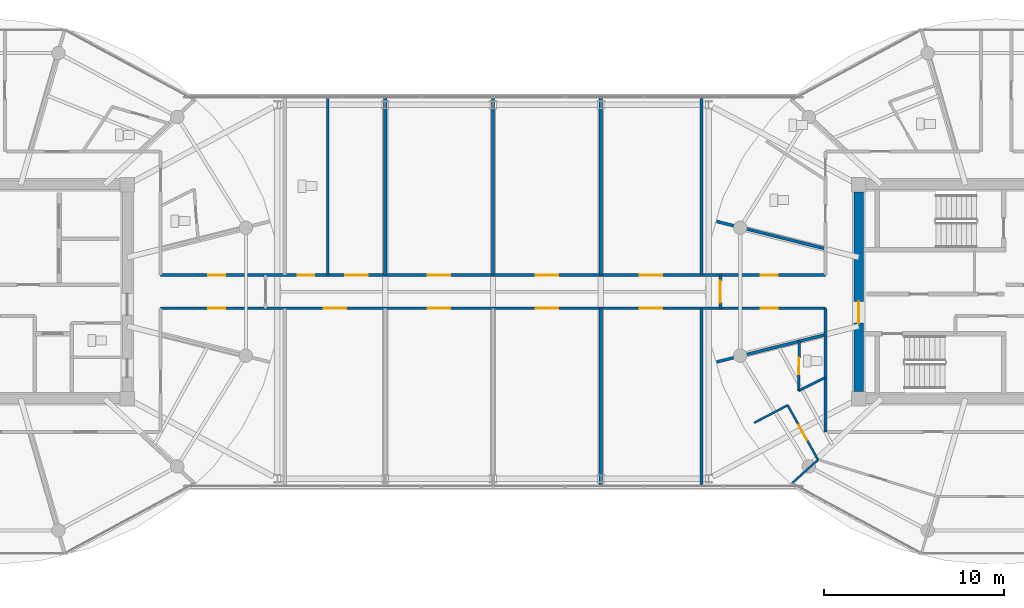
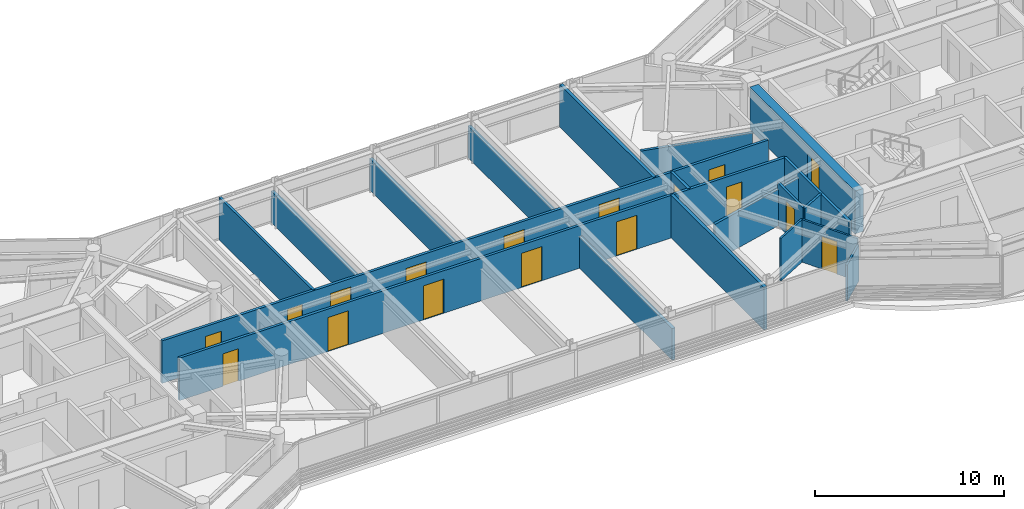
# One storey, part 17 of 26: 19 walls, 17 doors, 17 openings.
"""IFC4 building model written with IfcOpenShell, lengths in metres."""

from ifc_helpers import new_model, si_unit, direction, frame, frame_2d, origin, place, context, subcontext, project, spatial, rectangle, extrude, source, transform, mapped, material, layer, layer_set, type_object, type_shapes, element, fill, save


model = new_model("IFC4")

# Units and contexts
model_context = context("Model", 3, precision=1e-05, world=origin(), true_north=direction((0.0, 1.0)))
body_context = subcontext(model_context, "Body", "Model", "MODEL_VIEW")
ifc_project = project(units=[si_unit("LENGTHUNIT", "METRE"), si_unit("AREAUNIT", "SQUARE_METRE"), si_unit("VOLUMEUNIT", "CUBIC_METRE"), si_unit("PLANEANGLEUNIT", "RADIAN"), si_unit("MASSUNIT", "GRAM", prefix="KILO")], contexts=[model_context])

# Site, building, storey
site_placement = place(None, origin())
site = spatial("IfcSite", under=ifc_project, at=site_placement, CompositionType="ELEMENT")
building_placement = place(site_placement, origin())
building = spatial("IfcBuilding", under=site, at=building_placement, Name="Norrkilde Senior Care Towers", CompositionType="ELEMENT")
storey_placement = place(building_placement, frame((0.0, 0.0, 210.85009765625)))
storey = spatial("IfcBuildingStorey", under=building, at=storey_placement, Name="L65", CompositionType="ELEMENT", Elevation=210.85009765625)

# Wall, opening, door
ifc_material_1 = material(Name="Concrete C50/60", Category="concrete")
ifc_layer_1 = layer(ifc_material_1, 0.52001953125)
ifc_layer_set_1 = layer_set([ifc_layer_1], Name="Concrete C50/60")
wall_type_1 = type_object("IfcWallType", Name="Core Shear Wall Z4 520", PredefinedType="SHEAR", material=ifc_layer_set_1)
shared_shape_1 = source(origin(), body_context, "Body", "SweptSolid", [
    extrude(rectangle(XDim=11.10009765625, YDim=0.52001953125, at=frame_2d((5.550048828125, 0.0))), origin(), (0.0, 0.0, 1.0), 2.760009765625),
])
type_shapes(wall_type_1, [shared_shape_1])
wall_1_placement = place(storey_placement, frame((20.35009765625, -5.550048828125, 0.0), z_axis=(0.0, 0.0, 1.0), x_axis=(0.0, 1.0, 0.0)))
wall_1 = element("IfcWall", 1, at=wall_1_placement, inside=storey, type_object=wall_type_1, Name="L65 Core E West Shear Wall", PredefinedType="SHEAR", context=body_context, shape_type="MappedRepresentation", body=[
    mapped(shared_shape_1, transform((0.0, 0.0, 0.0), x_axis=(1.0, 0.0, 0.0), y_axis=(0.0, 1.0, 0.0), z_axis=(0.0, 0.0, 1.0), scale=1.0)),
])
opening_1_placement = place(wall_1_placement, frame((3.800048828125, 0.0, 0.0)))
opening_1 = element("IfcOpeningElement", 2, at=opening_1_placement, cuts=wall_1, Name="Opening D-04", PredefinedType="OPENING", context=body_context, shape_type="SweptSolid", body=[
    extrude(rectangle(XDim=1.199951171875, YDim=2.14990234375, at=frame_2d((0.60009765625, 1.074951171875))), frame((0.0, 0.27001953125, 0.0), z_axis=(0.0, -1.0, 0.0), x_axis=(1.0, 0.0, 0.0)), (0.0, 0.0, 1.0), 0.5400390625),
])
ifc_material_2 = material(Name="Galvanised Painted Steel", Category="steel")
door_type_1 = type_object("IfcDoorType", Name="Firefighting Lobby Fire Door 1200x2150", OperationType="NOTDEFINED", PredefinedType="DOOR", material=ifc_material_2)
shared_shape_2 = source(origin(), body_context, "Body", "SweptSolid", [
    extrude(rectangle(XDim=1.199951171875, YDim=2.14990234375, at=frame_2d((0.60009765625, 1.074951171875))), frame((0.0, 0.02490234375, 0.0), z_axis=(0.0, -1.0, 0.0), x_axis=(1.0, 0.0, 0.0)), (0.0, 0.0, 1.0), 0.050048828125),
])
type_shapes(door_type_1, [shared_shape_2])
door_1_placement = place(opening_1_placement, frame((1.199951171875, 0.0, 0.0), z_axis=(0.0, 0.0, 1.0), x_axis=(-1.0, 0.0, 0.0)))
door_1 = element("IfcDoor", 3, at=door_1_placement, inside=storey, type_object=door_type_1, Name="L65 Core E West Portal Door", OperationType="SINGLE_SWING_LEFT", OverallHeight=2.14990234375, OverallWidth=1.199951171875, PredefinedType="DOOR", context=body_context, shape_type="MappedRepresentation", body=[
    mapped(shared_shape_2, transform((0.0, 0.0, 0.0), x_axis=(1.0, 0.0, 0.0), y_axis=(0.0, 1.0, 0.0), z_axis=(0.0, 0.0, 1.0), scale=1.0)),
])
fill(opening_1, door_1)

# Walls
ifc_material_3 = material(Name="Gypsum Acoustic Board")
ifc_layer_2 = layer(ifc_material_3, 0.1650390625)
ifc_layer_set_2 = layer_set([ifc_layer_2], Name="Gypsum Acoustic Board")
wall_type_2 = type_object("IfcWallType", Name="Corridor Rated Partition 165", PredefinedType="PARTITIONING", material=ifc_layer_set_2)
shared_shape_3 = source(origin(), body_context, "Body", "SweptSolid", [
    extrude(rectangle(XDim=6.1572265625, YDim=0.1650390625, at=frame_2d((3.07861328125, 0.0))), origin(), (0.0, 0.0, 1.0), 2.344970703125),
])
for number, where, z_axis, x_axis, name in (
    (4, (18.419921875, 2.407470703125, 0.0), (0.0, 0.0, 1.0), (-0.969840867184, 0.243738984038, 0.0), "WL-INT-L65-E-DEM-05-0"),
    (5, (18.419921875, -2.407470703125, 0.0), (0.0, 0.0, 1.0), (-0.969840867184, -0.243738984038, 0.0), "WL-INT-L65-E-DEM-06-0"),
):
    element("IfcWall", number, at=place(storey_placement, frame(where, z_axis=z_axis, x_axis=x_axis)), inside=storey, type_object=wall_type_2, Name=name, PredefinedType="PARTITIONING", context=body_context, shape_type="MappedRepresentation", body=[
        mapped(shared_shape_3, transform((0.0, 0.0, 0.0), x_axis=(1.0, 0.0, 0.0), y_axis=(0.0, 1.0, 0.0), z_axis=(0.0, 0.0, 1.0), scale=1.0)),
    ])
shared_shape_4 = source(origin(), body_context, "Body", "SweptSolid", [
    extrude(rectangle(XDim=6.880126953125, YDim=0.1650390625, at=frame_2d((3.43994140625, 0.0))), origin(), (0.0, 0.0, 1.0), 2.744873046875),
])
wall_2_placement = place(storey_placement, frame((18.5, -7.800048828125, 0.0), z_axis=(0.0, 0.0, 1.0), x_axis=(0.0, 1.0, 0.0)))
element("IfcWall", 6, at=wall_2_placement, inside=storey, type_object=wall_type_2, Name="WL-INT-L65-E-CRW-W-0", PredefinedType="PARTITIONING", context=body_context, shape_type="MappedRepresentation", body=[
    mapped(shared_shape_4, transform((0.0, 0.0, 0.0), x_axis=(1.0, 0.0, 0.0), y_axis=(0.0, 1.0, 0.0), z_axis=(0.0, 0.0, 1.0), scale=1.0)),
])
ifc_layer_3 = layer(ifc_material_3, 0.114990234375)
ifc_layer_set_3 = layer_set([ifc_layer_3], Name="Gypsum Acoustic Board")
wall_type_3 = type_object("IfcWallType", Name="Internal Room Partition 115", PredefinedType="PARTITIONING", material=ifc_layer_set_3)
shared_shape_5 = source(origin(), body_context, "Body", "SweptSolid", [
    extrude(rectangle(XDim=1.98828125, YDim=0.114990234375, at=frame_2d((0.994140625, 0.0))), origin(), (0.0, 0.0, 1.0), 2.344970703125),
])
wall_3_placement = place(storey_placement, frame((18.0908203125, -9.34423828125, 0.0), z_axis=(0.0, 0.0, 1.0), x_axis=(-0.741992301729, -0.670408401033, 0.0)))
element("IfcWall", 7, at=wall_3_placement, inside=storey, type_object=wall_type_3, Name="WL-INT-L65-E-UBR-06-1", PredefinedType="PARTITIONING", context=body_context, shape_type="MappedRepresentation", body=[
    mapped(shared_shape_5, transform((0.0, 0.0, 0.0), x_axis=(1.0, 0.0, 0.0), y_axis=(0.0, 1.0, 0.0), z_axis=(0.0, 0.0, 1.0), scale=1.0)),
])
ifc_layer_4 = layer(ifc_material_3, 0.139892578125)
ifc_layer_set_4 = layer_set([ifc_layer_4], Name="Gypsum Acoustic Board")
wall_type_4 = type_object("IfcWallType", Name="En-suite Wet Room Wall 140", PredefinedType="PARTITIONING", material=ifc_layer_set_4)
shared_shape_6 = source(origin(), body_context, "Body", "SweptSolid", [
    extrude(rectangle(XDim=1.638427734375, YDim=0.139892578125, at=frame_2d((0.8193359375, 0.0))), origin(), (0.0, 0.0, 1.0), 2.744873046875),
])
wall_4_placement = place(storey_placement, frame((18.469970703125, -4.7783203125, 0.0), z_axis=(0.0, 0.0, 1.0), x_axis=(-0.893919977945, -0.448226586707, 0.0)))
element("IfcWall", 8, at=wall_4_placement, inside=storey, type_object=wall_type_4, Name="WL-INT-L65-E-UBTS-06", PredefinedType="PARTITIONING", context=body_context, shape_type="MappedRepresentation", body=[
    mapped(shared_shape_6, transform((0.0, 0.0, 0.0), x_axis=(1.0, 0.0, 0.0), y_axis=(0.0, 1.0, 0.0), z_axis=(0.0, 0.0, 1.0), scale=1.0)),
])

# Wall, opening, door
shared_shape_7 = source(origin(), body_context, "Body", "SweptSolid", [
    extrude(rectangle(XDim=2.7587890625, YDim=0.139892578125, at=frame_2d((1.37939453125, 0.0))), origin(), (0.0, 0.0, 1.0), 2.744873046875),
])
wall_5_placement = place(storey_placement, frame((17.00537109375, -5.5126953125, 0.0), z_axis=(0.0, 0.0, 1.0), x_axis=(0.01194710728, 0.999928630767, 0.0)))
wall_5 = element("IfcWall", 9, at=wall_5_placement, inside=storey, type_object=wall_type_4, Name="WL-INT-L65-E-UBTF-06", PredefinedType="PARTITIONING", context=body_context, shape_type="MappedRepresentation", body=[
    mapped(shared_shape_7, transform((0.0, 0.0, 0.0), x_axis=(1.0, 0.0, 0.0), y_axis=(0.0, 1.0, 0.0), z_axis=(0.0, 0.0, 1.0), scale=1.0)),
])
opening_2_placement = place(wall_5_placement, frame((0.91943359375, 0.0, 0.0)))
opening_2 = element("IfcOpeningElement", 10, at=opening_2_placement, cuts=wall_5, Name="Opening D-08", PredefinedType="OPENING", context=body_context, shape_type="SweptSolid", body=[
    extrude(rectangle(XDim=0.919921875, YDim=2.10009765625, at=frame_2d((0.4599609375, 1.050048828125))), frame((0.0, 0.079833984375, 0.0), z_axis=(0.0, -1.0, 0.0), x_axis=(1.0, 0.0, 0.0)), (0.0, 0.0, 1.0), 0.159912109375),
])
ifc_material_4 = material(Name="Nordic Ash Timber", Category="wood")
door_type_2 = type_object("IfcDoorType", Name="Accessible Wet Room Door 920x2100", OperationType="NOTDEFINED", PredefinedType="DOOR", material=ifc_material_4)
shared_shape_8 = source(origin(), body_context, "Body", "SweptSolid", [
    extrude(rectangle(XDim=0.919921875, YDim=2.10009765625, at=frame_2d((0.4599609375, 1.050048828125))), frame((0.0, 0.02490234375, 0.0), z_axis=(0.0, -1.0, 0.0), x_axis=(1.0, 0.0, 0.0)), (0.0, 0.0, 1.0), 0.050048828125),
])
type_shapes(door_type_2, [shared_shape_8])
door_2_placement = place(opening_2_placement, origin())
door_2 = element("IfcDoor", 11, at=door_2_placement, inside=storey, type_object=door_type_2, Name="Apartment 65E Bathroom Door", OperationType="SINGLE_SWING_RIGHT", OverallHeight=2.10009765625, OverallWidth=0.919921875, PredefinedType="DOOR", context=body_context, shape_type="MappedRepresentation", body=[
    mapped(shared_shape_8, transform((0.0, 0.0, 0.0), x_axis=(1.0, 0.0, 0.0), y_axis=(0.0, 1.0, 0.0), z_axis=(0.0, 0.0, 1.0), scale=1.0)),
])
fill(opening_2, door_2)

# Wall
shared_shape_9 = source(origin(), body_context, "Body", "SweptSolid", [
    extrude(rectangle(XDim=2.10400390625, YDim=0.114990234375, at=frame_2d((1.052001953125, 0.0))), origin(), (0.0, 0.0, 1.0), 2.744873046875),
])
wall_6_placement = place(storey_placement, frame((16.396240234375, -6.3173828125, 0.0), z_axis=(0.0, 0.0, 1.0), x_axis=(-0.886060817493, -0.463569010724, 0.0)))
element("IfcWall", 12, at=wall_6_placement, inside=storey, type_object=wall_type_3, Name="WL-INT-L65-E-UKTS-06", PredefinedType="PARTITIONING", context=body_context, shape_type="MappedRepresentation", body=[
    mapped(shared_shape_9, transform((0.0, 0.0, 0.0), x_axis=(1.0, 0.0, 0.0), y_axis=(0.0, 1.0, 0.0), z_axis=(0.0, 0.0, 1.0), scale=1.0)),
])

# Wall, opening, door
shared_shape_10 = source(origin(), body_context, "Body", "SweptSolid", [
    extrude(rectangle(XDim=3.4716796875, YDim=0.114990234375, at=frame_2d((1.73583984375, 0.0))), origin(), (0.0, 0.0, 1.0), 2.744873046875),
])
type_shapes(wall_type_3, [shared_shape_5, shared_shape_9, shared_shape_10])
wall_7_placement = place(storey_placement, frame((16.396240234375, -6.3173828125, 0.0), z_axis=(0.0, 0.0, 1.0), x_axis=(0.485804139346, -0.874067696574, 0.0)))
wall_7 = element("IfcWall", 13, at=wall_7_placement, inside=storey, type_object=wall_type_3, Name="WL-INT-L65-E-UKTF-06", PredefinedType="PARTITIONING", context=body_context, shape_type="MappedRepresentation", body=[
    mapped(shared_shape_10, transform((0.0, 0.0, 0.0), x_axis=(1.0, 0.0, 0.0), y_axis=(0.0, 1.0, 0.0), z_axis=(0.0, 0.0, 1.0), scale=1.0)),
])
opening_3_placement = place(wall_7_placement, frame((1.2607421875, 0.0, 0.0)))
opening_3 = element("IfcOpeningElement", 14, at=opening_3_placement, cuts=wall_7, Name="Opening D-07", PredefinedType="OPENING", context=body_context, shape_type="SweptSolid", body=[
    extrude(rectangle(XDim=0.949951171875, YDim=2.10009765625, at=frame_2d((0.47509765625, 1.050048828125))), frame((0.0, 0.0673828125, 0.0), z_axis=(0.0, -1.0, 0.0), x_axis=(1.0, 0.0, 0.0)), (0.0, 0.0, 1.0), 0.135009765625),
])
door_type_3 = type_object("IfcDoorType", Name="Internal Suite Bedroom Door 950x2100", OperationType="NOTDEFINED", PredefinedType="DOOR", material=ifc_material_4)
shared_shape_11 = source(origin(), body_context, "Body", "SweptSolid", [
    extrude(rectangle(XDim=0.949951171875, YDim=2.10009765625, at=frame_2d((0.47509765625, 1.050048828125))), frame((0.0, 0.02490234375, 0.0), z_axis=(0.0, -1.0, 0.0), x_axis=(1.0, 0.0, 0.0)), (0.0, 0.0, 1.0), 0.050048828125),
])
type_shapes(door_type_3, [shared_shape_11])
door_3_placement = place(opening_3_placement, frame((0.949951171875, 0.0, 0.0), z_axis=(0.0, 0.0, 1.0), x_axis=(-1.0, 0.0, 0.0)))
door_3 = element("IfcDoor", 15, at=door_3_placement, inside=storey, type_object=door_type_3, Name="Apartment 65E Kitchen Door", OperationType="SINGLE_SWING_LEFT", OverallHeight=2.10009765625, OverallWidth=0.949951171875, PredefinedType="DOOR", context=body_context, shape_type="MappedRepresentation", body=[
    mapped(shared_shape_11, transform((0.0, 0.0, 0.0), x_axis=(1.0, 0.0, 0.0), y_axis=(0.0, 1.0, 0.0), z_axis=(0.0, 0.0, 1.0), scale=1.0)),
])
fill(opening_3, door_3)

shared_shape_12 = source(origin(), body_context, "Body", "SweptSolid", [
    extrude(rectangle(XDim=1.83984375, YDim=0.1650390625, at=frame_2d((0.919921875, 0.0))), origin(), (0.0, 0.0, 1.0), 2.744873046875),
])
wall_8_placement = place(storey_placement, frame((12.64990234375, -0.919921875, 0.0), z_axis=(0.0, 0.0, 1.0), x_axis=(0.0, 1.0, 0.0)))
wall_8 = element("IfcWall", 16, at=wall_8_placement, inside=storey, type_object=wall_type_2, Name="WL-INT-L65-BR-GE", PredefinedType="PARTITIONING", context=body_context, shape_type="MappedRepresentation", body=[
    mapped(shared_shape_12, transform((0.0, 0.0, 0.0), x_axis=(1.0, 0.0, 0.0), y_axis=(0.0, 1.0, 0.0), z_axis=(0.0, 0.0, 1.0), scale=1.0)),
])
opening_4_placement = place(wall_8_placement, frame((0.320068359375, 0.0, 0.0)))
opening_4 = element("IfcOpeningElement", 17, at=opening_4_placement, cuts=wall_8, Name="Opening D-04", PredefinedType="OPENING", context=body_context, shape_type="SweptSolid", body=[
    extrude(rectangle(XDim=1.199951171875, YDim=2.14990234375, at=frame_2d((0.60009765625, 1.074951171875))), frame((0.0, 0.092529296875, 0.0), z_axis=(0.0, -1.0, 0.0), x_axis=(1.0, 0.0, 0.0)), (0.0, 0.0, 1.0), 0.18505859375),
])
door_4_placement = place(opening_4_placement, origin())
door_4 = element("IfcDoor", 18, at=door_4_placement, inside=storey, type_object=door_type_1, Name="L65 Sky-Gate Bridge GE Fire Door", OperationType="SINGLE_SWING_RIGHT", OverallHeight=2.14990234375, OverallWidth=1.199951171875, PredefinedType="DOOR", context=body_context, shape_type="MappedRepresentation", body=[
    mapped(shared_shape_2, transform((0.0, 0.0, 0.0), x_axis=(1.0, 0.0, 0.0), y_axis=(0.0, 1.0, 0.0), z_axis=(0.0, 0.0, 1.0), scale=1.0)),
])
fill(opening_4, door_4)

# Wall, openings, doors
shared_shape_13 = source(origin(), body_context, "Body", "SweptSolid", [
    extrude(rectangle(XDim=37.0, YDim=0.1650390625, at=frame_2d((18.5, 0.0))), origin(), (0.0, 0.0, 1.0), 2.744873046875),
])
type_shapes(wall_type_2, [shared_shape_3, shared_shape_4, shared_shape_12, shared_shape_13])
wall_9_placement = place(storey_placement, frame((-18.5, -0.919921875, 0.0), z_axis=(0.0, 0.0, 1.0), x_axis=(1.0, 0.0, 0.0)))
wall_9 = element("IfcWall", 19, at=wall_9_placement, inside=storey, type_object=wall_type_2, Name="WL-INT-L65-BR-CS", PredefinedType="PARTITIONING", context=body_context, shape_type="MappedRepresentation", body=[
    mapped(shared_shape_13, transform((0.0, 0.0, 0.0), x_axis=(1.0, 0.0, 0.0), y_axis=(0.0, 1.0, 0.0), z_axis=(0.0, 0.0, 1.0), scale=1.0)),
])
opening_5_placement = place(wall_9_placement, frame((2.66162109375, 0.0, 0.0)))
opening_5 = element("IfcOpeningElement", 20, at=opening_5_placement, cuts=wall_9, Name="Opening D-07", PredefinedType="OPENING", context=body_context, shape_type="SweptSolid", body=[
    extrude(rectangle(XDim=0.949951171875, YDim=2.10009765625, at=frame_2d((0.47509765625, 1.050048828125))), frame((0.0, 0.092529296875, 0.0), z_axis=(0.0, -1.0, 0.0), x_axis=(1.0, 0.0, 0.0)), (0.0, 0.0, 1.0), 0.18505859375),
])
opening_6_placement = place(wall_9_placement, frame((33.38818359375, 0.0, 0.0)))
opening_6 = element("IfcOpeningElement", 21, at=opening_6_placement, cuts=wall_9, Name="Opening D-07", PredefinedType="OPENING", context=body_context, shape_type="SweptSolid", body=[
    extrude(rectangle(XDim=0.949951171875, YDim=2.10009765625, at=frame_2d((0.47509765625, 1.050048828125))), frame((0.0, 0.092529296875, 0.0), z_axis=(0.0, -1.0, 0.0), x_axis=(1.0, 0.0, 0.0)), (0.0, 0.0, 1.0), 0.18505859375),
])
opening_7_placement = place(wall_9_placement, frame((9.074951171875, 0.0, 0.0)))
opening_7 = element("IfcOpeningElement", 22, at=opening_7_placement, cuts=wall_9, Name="Opening D-05", PredefinedType="OPENING", context=body_context, shape_type="SweptSolid", body=[
    extrude(rectangle(XDim=1.25, YDim=2.199951171875, at=frame_2d((0.625, 1.10009765625))), frame((0.0, 0.092529296875, 0.0), z_axis=(0.0, -1.0, 0.0), x_axis=(1.0, 0.0, 0.0)), (0.0, 0.0, 1.0), 0.18505859375),
])
opening_8_placement = place(wall_9_placement, frame((14.875, 0.0, 0.0)))
opening_8 = element("IfcOpeningElement", 23, at=opening_8_placement, cuts=wall_9, Name="Opening D-05", PredefinedType="OPENING", context=body_context, shape_type="SweptSolid", body=[
    extrude(rectangle(XDim=1.25, YDim=2.199951171875, at=frame_2d((0.625, 1.10009765625))), frame((0.0, 0.092529296875, 0.0), z_axis=(0.0, -1.0, 0.0), x_axis=(1.0, 0.0, 0.0)), (0.0, 0.0, 1.0), 0.18505859375),
])
opening_9_placement = place(wall_9_placement, frame((20.875, 0.0, 0.0)))
opening_9 = element("IfcOpeningElement", 24, at=opening_9_placement, cuts=wall_9, Name="Opening D-05", PredefinedType="OPENING", context=body_context, shape_type="SweptSolid", body=[
    extrude(rectangle(XDim=1.25, YDim=2.199951171875, at=frame_2d((0.625, 1.10009765625))), frame((0.0, 0.092529296875, 0.0), z_axis=(0.0, -1.0, 0.0), x_axis=(1.0, 0.0, 0.0)), (0.0, 0.0, 1.0), 0.18505859375),
])
opening_10_placement = place(wall_9_placement, frame((26.675048828125, 0.0, 0.0)))
opening_10 = element("IfcOpeningElement", 25, at=opening_10_placement, cuts=wall_9, Name="Opening D-05", PredefinedType="OPENING", context=body_context, shape_type="SweptSolid", body=[
    extrude(rectangle(XDim=1.25, YDim=2.199951171875, at=frame_2d((0.625, 1.10009765625))), frame((0.0, 0.092529296875, 0.0), z_axis=(0.0, -1.0, 0.0), x_axis=(1.0, 0.0, 0.0)), (0.0, 0.0, 1.0), 0.18505859375),
])
door_type_4 = type_object("IfcDoorType", Name="Care Bedroom Bariatric Door 1250x2200", OperationType="NOTDEFINED", PredefinedType="DOOR", material=ifc_material_4)
shared_shape_14 = source(origin(), body_context, "Body", "SweptSolid", [
    extrude(rectangle(XDim=1.25, YDim=2.199951171875, at=frame_2d((0.625, 1.10009765625))), frame((0.0, 0.02490234375, 0.0), z_axis=(0.0, -1.0, 0.0), x_axis=(1.0, 0.0, 0.0)), (0.0, 0.0, 1.0), 0.050048828125),
])
type_shapes(door_type_4, [shared_shape_14])
door_5_placement = place(opening_7_placement, origin())
door_5 = element("IfcDoor", 26, at=door_5_placement, inside=storey, type_object=door_type_4, Name="L65 Bridge South Room 1 Door", OperationType="SINGLE_SWING_LEFT", OverallHeight=2.199951171875, OverallWidth=1.25, PredefinedType="DOOR", context=body_context, shape_type="MappedRepresentation", body=[
    mapped(shared_shape_14, transform((0.0, 0.0, 0.0), x_axis=(1.0, 0.0, 0.0), y_axis=(0.0, 1.0, 0.0), z_axis=(0.0, 0.0, 1.0), scale=1.0)),
])
fill(opening_7, door_5)
door_6_placement = place(opening_8_placement, origin())
door_6 = element("IfcDoor", 27, at=door_6_placement, inside=storey, type_object=door_type_4, Name="L65 Bridge South Room 2 Door", OperationType="SINGLE_SWING_RIGHT", OverallHeight=2.199951171875, OverallWidth=1.25, PredefinedType="DOOR", context=body_context, shape_type="MappedRepresentation", body=[
    mapped(shared_shape_14, transform((0.0, 0.0, 0.0), x_axis=(1.0, 0.0, 0.0), y_axis=(0.0, 1.0, 0.0), z_axis=(0.0, 0.0, 1.0), scale=1.0)),
])
fill(opening_8, door_6)
door_7_placement = place(opening_9_placement, origin())
door_7 = element("IfcDoor", 28, at=door_7_placement, inside=storey, type_object=door_type_4, Name="L65 Bridge South Room 3 Door", OperationType="SINGLE_SWING_LEFT", OverallHeight=2.199951171875, OverallWidth=1.25, PredefinedType="DOOR", context=body_context, shape_type="MappedRepresentation", body=[
    mapped(shared_shape_14, transform((0.0, 0.0, 0.0), x_axis=(1.0, 0.0, 0.0), y_axis=(0.0, 1.0, 0.0), z_axis=(0.0, 0.0, 1.0), scale=1.0)),
])
fill(opening_9, door_7)
door_8_placement = place(opening_10_placement, origin())
door_8 = element("IfcDoor", 29, at=door_8_placement, inside=storey, type_object=door_type_4, Name="L65 Bridge South Room 4 Door", OperationType="SINGLE_SWING_RIGHT", OverallHeight=2.199951171875, OverallWidth=1.25, PredefinedType="DOOR", context=body_context, shape_type="MappedRepresentation", body=[
    mapped(shared_shape_14, transform((0.0, 0.0, 0.0), x_axis=(1.0, 0.0, 0.0), y_axis=(0.0, 1.0, 0.0), z_axis=(0.0, 0.0, 1.0), scale=1.0)),
])
fill(opening_10, door_8)
door_9_placement = place(opening_5_placement, frame((0.949951171875, 0.0, 0.0), z_axis=(0.0, 0.0, 1.0), x_axis=(-1.0, 0.0, 0.0)))
door_9 = element("IfcDoor", 30, at=door_9_placement, inside=storey, type_object=door_type_3, Name="L65 Sun Reading Lounge 5 Door", OperationType="SINGLE_SWING_RIGHT", OverallHeight=2.10009765625, OverallWidth=0.949951171875, PredefinedType="DOOR", context=body_context, shape_type="MappedRepresentation", body=[
    mapped(shared_shape_11, transform((0.0, 0.0, 0.0), x_axis=(1.0, 0.0, 0.0), y_axis=(0.0, 1.0, 0.0), z_axis=(0.0, 0.0, 1.0), scale=1.0)),
])
fill(opening_5, door_9)
door_10_placement = place(opening_6_placement, frame((0.949951171875, 0.0, 0.0), z_axis=(0.0, 0.0, 1.0), x_axis=(-1.0, 0.0, 0.0)))
door_10 = element("IfcDoor", 31, at=door_10_placement, inside=storey, type_object=door_type_3, Name="L65 Sun Reading Lounge 1 Door", OperationType="SINGLE_SWING_RIGHT", OverallHeight=2.10009765625, OverallWidth=0.949951171875, PredefinedType="DOOR", context=body_context, shape_type="MappedRepresentation", body=[
    mapped(shared_shape_11, transform((0.0, 0.0, 0.0), x_axis=(1.0, 0.0, 0.0), y_axis=(0.0, 1.0, 0.0), z_axis=(0.0, 0.0, 1.0), scale=1.0)),
])
fill(opening_6, door_10)

wall_10_placement = place(storey_placement, frame((-18.5, 0.919921875, 0.0), z_axis=(0.0, 0.0, 1.0), x_axis=(1.0, 0.0, 0.0)))
wall_10 = element("IfcWall", 32, at=wall_10_placement, inside=storey, type_object=wall_type_2, Name="WL-INT-L65-BR-CN", PredefinedType="PARTITIONING", context=body_context, shape_type="MappedRepresentation", body=[
    mapped(shared_shape_13, transform((0.0, 0.0, 0.0), x_axis=(1.0, 0.0, 0.0), y_axis=(0.0, 1.0, 0.0), z_axis=(0.0, 0.0, 1.0), scale=1.0)),
])
opening_11_placement = place(wall_10_placement, frame((2.66162109375, 0.0, 0.0)))
opening_11 = element("IfcOpeningElement", 33, at=opening_11_placement, cuts=wall_10, Name="Opening D-07", PredefinedType="OPENING", context=body_context, shape_type="SweptSolid", body=[
    extrude(rectangle(XDim=0.949951171875, YDim=2.10009765625, at=frame_2d((0.47509765625, 1.050048828125))), frame((0.0, 0.092529296875, 0.0), z_axis=(0.0, -1.0, 0.0), x_axis=(1.0, 0.0, 0.0)), (0.0, 0.0, 1.0), 0.18505859375),
])
opening_12_placement = place(wall_10_placement, frame((33.38818359375, 0.0, 0.0)))
opening_12 = element("IfcOpeningElement", 34, at=opening_12_placement, cuts=wall_10, Name="Opening D-07", PredefinedType="OPENING", context=body_context, shape_type="SweptSolid", body=[
    extrude(rectangle(XDim=0.949951171875, YDim=2.10009765625, at=frame_2d((0.47509765625, 1.050048828125))), frame((0.0, 0.092529296875, 0.0), z_axis=(0.0, -1.0, 0.0), x_axis=(1.0, 0.0, 0.0)), (0.0, 0.0, 1.0), 0.18505859375),
])
opening_13_placement = place(wall_10_placement, frame((7.639892578125, 0.0, 0.0)))
opening_13 = element("IfcOpeningElement", 35, at=opening_13_placement, cuts=wall_10, Name="Opening D-08", PredefinedType="OPENING", context=body_context, shape_type="SweptSolid", body=[
    extrude(rectangle(XDim=0.919921875, YDim=2.10009765625, at=frame_2d((0.4599609375, 1.050048828125))), frame((0.0, 0.092529296875, 0.0), z_axis=(0.0, -1.0, 0.0), x_axis=(1.0, 0.0, 0.0)), (0.0, 0.0, 1.0), 0.18505859375),
])
opening_14_placement = place(wall_10_placement, frame((10.27490234375, 0.0, 0.0)))
opening_14 = element("IfcOpeningElement", 36, at=opening_14_placement, cuts=wall_10, Name="Opening D-05", PredefinedType="OPENING", context=body_context, shape_type="SweptSolid", body=[
    extrude(rectangle(XDim=1.25, YDim=2.199951171875, at=frame_2d((0.625, 1.10009765625))), frame((0.0, 0.092529296875, 0.0), z_axis=(0.0, -1.0, 0.0), x_axis=(1.0, 0.0, 0.0)), (0.0, 0.0, 1.0), 0.18505859375),
])
opening_15_placement = place(wall_10_placement, frame((14.875, 0.0, 0.0)))
opening_15 = element("IfcOpeningElement", 37, at=opening_15_placement, cuts=wall_10, Name="Opening D-05", PredefinedType="OPENING", context=body_context, shape_type="SweptSolid", body=[
    extrude(rectangle(XDim=1.25, YDim=2.199951171875, at=frame_2d((0.625, 1.10009765625))), frame((0.0, 0.092529296875, 0.0), z_axis=(0.0, -1.0, 0.0), x_axis=(1.0, 0.0, 0.0)), (0.0, 0.0, 1.0), 0.18505859375),
])
opening_16_placement = place(wall_10_placement, frame((20.875, 0.0, 0.0)))
opening_16 = element("IfcOpeningElement", 38, at=opening_16_placement, cuts=wall_10, Name="Opening D-05", PredefinedType="OPENING", context=body_context, shape_type="SweptSolid", body=[
    extrude(rectangle(XDim=1.25, YDim=2.199951171875, at=frame_2d((0.625, 1.10009765625))), frame((0.0, 0.092529296875, 0.0), z_axis=(0.0, -1.0, 0.0), x_axis=(1.0, 0.0, 0.0)), (0.0, 0.0, 1.0), 0.18505859375),
])
opening_17_placement = place(wall_10_placement, frame((26.675048828125, 0.0, 0.0)))
opening_17 = element("IfcOpeningElement", 39, at=opening_17_placement, cuts=wall_10, Name="Opening D-05", PredefinedType="OPENING", context=body_context, shape_type="SweptSolid", body=[
    extrude(rectangle(XDim=1.25, YDim=2.199951171875, at=frame_2d((0.625, 1.10009765625))), frame((0.0, 0.092529296875, 0.0), z_axis=(0.0, -1.0, 0.0), x_axis=(1.0, 0.0, 0.0)), (0.0, 0.0, 1.0), 0.18505859375),
])
door_11_placement = place(opening_14_placement, frame((1.25, 0.0, 0.0), z_axis=(0.0, 0.0, 1.0), x_axis=(-1.0, 0.0, 0.0)))
door_11 = element("IfcDoor", 40, at=door_11_placement, inside=storey, type_object=door_type_4, Name="L65 Bridge North Clinic 1 Door", OperationType="SINGLE_SWING_RIGHT", OverallHeight=2.199951171875, OverallWidth=1.25, PredefinedType="DOOR", context=body_context, shape_type="MappedRepresentation", body=[
    mapped(shared_shape_14, transform((0.0, 0.0, 0.0), x_axis=(1.0, 0.0, 0.0), y_axis=(0.0, 1.0, 0.0), z_axis=(0.0, 0.0, 1.0), scale=1.0)),
])
fill(opening_14, door_11)
door_12_placement = place(opening_15_placement, frame((1.25, 0.0, 0.0), z_axis=(0.0, 0.0, 1.0), x_axis=(-1.0, 0.0, 0.0)))
door_12 = element("IfcDoor", 41, at=door_12_placement, inside=storey, type_object=door_type_4, Name="L65 Bridge North Room 2 Door", OperationType="SINGLE_SWING_LEFT", OverallHeight=2.199951171875, OverallWidth=1.25, PredefinedType="DOOR", context=body_context, shape_type="MappedRepresentation", body=[
    mapped(shared_shape_14, transform((0.0, 0.0, 0.0), x_axis=(1.0, 0.0, 0.0), y_axis=(0.0, 1.0, 0.0), z_axis=(0.0, 0.0, 1.0), scale=1.0)),
])
fill(opening_15, door_12)
door_13_placement = place(opening_16_placement, frame((1.25, 0.0, 0.0), z_axis=(0.0, 0.0, 1.0), x_axis=(-1.0, 0.0, 0.0)))
door_13 = element("IfcDoor", 42, at=door_13_placement, inside=storey, type_object=door_type_4, Name="L65 Bridge North Room 3 Door", OperationType="SINGLE_SWING_RIGHT", OverallHeight=2.199951171875, OverallWidth=1.25, PredefinedType="DOOR", context=body_context, shape_type="MappedRepresentation", body=[
    mapped(shared_shape_14, transform((0.0, 0.0, 0.0), x_axis=(1.0, 0.0, 0.0), y_axis=(0.0, 1.0, 0.0), z_axis=(0.0, 0.0, 1.0), scale=1.0)),
])
fill(opening_16, door_13)
door_14_placement = place(opening_17_placement, frame((1.25, 0.0, 0.0), z_axis=(0.0, 0.0, 1.0), x_axis=(-1.0, 0.0, 0.0)))
door_14 = element("IfcDoor", 43, at=door_14_placement, inside=storey, type_object=door_type_4, Name="L65 Bridge North Room 4 Door", OperationType="SINGLE_SWING_LEFT", OverallHeight=2.199951171875, OverallWidth=1.25, PredefinedType="DOOR", context=body_context, shape_type="MappedRepresentation", body=[
    mapped(shared_shape_14, transform((0.0, 0.0, 0.0), x_axis=(1.0, 0.0, 0.0), y_axis=(0.0, 1.0, 0.0), z_axis=(0.0, 0.0, 1.0), scale=1.0)),
])
fill(opening_17, door_14)
door_15_placement = place(opening_13_placement, frame((0.919921875, 0.0, 0.0), z_axis=(0.0, 0.0, 1.0), x_axis=(-1.0, 0.0, 0.0)))
door_15 = element("IfcDoor", 44, at=door_15_placement, inside=storey, type_object=door_type_2, Name="L65 Bridge Accessible WC Door", OperationType="SINGLE_SWING_LEFT", OverallHeight=2.10009765625, OverallWidth=0.919921875, PredefinedType="DOOR", context=body_context, shape_type="MappedRepresentation", body=[
    mapped(shared_shape_8, transform((0.0, 0.0, 0.0), x_axis=(1.0, 0.0, 0.0), y_axis=(0.0, 1.0, 0.0), z_axis=(0.0, 0.0, 1.0), scale=1.0)),
])
fill(opening_13, door_15)
door_16_placement = place(opening_11_placement, frame((0.949951171875, 0.0, 0.0), z_axis=(0.0, 0.0, 1.0), x_axis=(-1.0, 0.0, 0.0)))
door_16 = element("IfcDoor", 45, at=door_16_placement, inside=storey, type_object=door_type_3, Name="L65 Sun Reading Lounge 6 Door", OperationType="SINGLE_SWING_LEFT", OverallHeight=2.10009765625, OverallWidth=0.949951171875, PredefinedType="DOOR", context=body_context, shape_type="MappedRepresentation", body=[
    mapped(shared_shape_11, transform((0.0, 0.0, 0.0), x_axis=(1.0, 0.0, 0.0), y_axis=(0.0, 1.0, 0.0), z_axis=(0.0, 0.0, 1.0), scale=1.0)),
])
fill(opening_11, door_16)
door_17_placement = place(opening_12_placement, frame((0.949951171875, 0.0, 0.0), z_axis=(0.0, 0.0, 1.0), x_axis=(-1.0, 0.0, 0.0)))
door_17 = element("IfcDoor", 46, at=door_17_placement, inside=storey, type_object=door_type_3, Name="L65 Sun Reading Lounge 2 Door", OperationType="SINGLE_SWING_LEFT", OverallHeight=2.10009765625, OverallWidth=0.949951171875, PredefinedType="DOOR", context=body_context, shape_type="MappedRepresentation", body=[
    mapped(shared_shape_11, transform((0.0, 0.0, 0.0), x_axis=(1.0, 0.0, 0.0), y_axis=(0.0, 1.0, 0.0), z_axis=(0.0, 0.0, 1.0), scale=1.0)),
])
fill(opening_12, door_17)

# Walls
ifc_layer_5 = layer(ifc_material_3, 0.18994140625)
ifc_layer_set_5 = layer_set([ifc_layer_5], Name="Gypsum Acoustic Board")
wall_type_5 = type_object("IfcWallType", Name="Unit Demising Acoustic Wall 190", PredefinedType="PARTITIONING", material=ifc_layer_set_5)
shared_shape_15 = source(origin(), body_context, "Body", "SweptSolid", [
    extrude(rectangle(XDim=9.880126953125, YDim=0.18994140625, at=frame_2d((4.93994140625, 0.0))), origin(), (0.0, 0.0, 1.0), 2.744873046875),
])
for number, where, z_axis, x_axis, name in (
    (47, (11.60009765625, -10.800048828125, 0.0), (0.0, 0.0, 1.0), (0.0, 1.0, 0.0), "WL-INT-L65-BR-ES+12"),
    (48, (11.60009765625, 0.919921875, 0.0), (0.0, 0.0, 1.0), (0.0, 1.0, 0.0), "WL-INT-L65-BR-EN+12"),
):
    element("IfcWall", number, at=place(storey_placement, frame(where, z_axis=z_axis, x_axis=x_axis)), inside=storey, type_object=wall_type_5, Name=name, PredefinedType="PARTITIONING", context=body_context, shape_type="MappedRepresentation", body=[
        mapped(shared_shape_15, transform((0.0, 0.0, 0.0), x_axis=(1.0, 0.0, 0.0), y_axis=(0.0, 1.0, 0.0), z_axis=(0.0, 0.0, 1.0), scale=1.0)),
    ])
shared_shape_16 = source(origin(), body_context, "Body", "SweptSolid", [
    extrude(rectangle(XDim=9.880126953125, YDim=0.18994140625, at=frame_2d((4.93994140625, 0.0))), origin(), (0.0, 0.0, 1.0), 2.044921875),
])
type_shapes(wall_type_5, [shared_shape_15, shared_shape_16])
for number, where, z_axis, x_axis, name in (
    (49, (-6.0, 0.919921875, 0.0), (0.0, 0.0, 1.0), (0.0, 1.0, 0.0), "WL-INT-L65-BR-VN1"),
    (50, (0.0, 0.919921875, 0.0), (0.0, 0.0, 1.0), (0.0, 1.0, 0.0), "WL-INT-L65-BR-VN2"),
    (51, (6.0, -10.800048828125, 0.0), (0.0, 0.0, 1.0), (0.0, 1.0, 0.0), "WL-INT-L65-BR-VS3"),
    (52, (6.0, 0.919921875, 0.0), (0.0, 0.0, 1.0), (0.0, 1.0, 0.0), "WL-INT-L65-BR-VN3"),
):
    element("IfcWall", number, at=place(storey_placement, frame(where, z_axis=z_axis, x_axis=x_axis)), inside=storey, type_object=wall_type_5, Name=name, PredefinedType="PARTITIONING", context=body_context, shape_type="MappedRepresentation", body=[
        mapped(shared_shape_16, transform((0.0, 0.0, 0.0), x_axis=(1.0, 0.0, 0.0), y_axis=(0.0, 1.0, 0.0), z_axis=(0.0, 0.0, 1.0), scale=1.0)),
    ])
shared_shape_17 = source(origin(), body_context, "Body", "SweptSolid", [
    extrude(rectangle(XDim=9.880126953125, YDim=0.139892578125, at=frame_2d((4.93994140625, 0.0))), origin(), (0.0, 0.0, 1.0), 2.744873046875),
])
type_shapes(wall_type_4, [shared_shape_6, shared_shape_7, shared_shape_17])
wall_11_placement = place(storey_placement, frame((-9.199951171875, 0.919921875, 0.0), z_axis=(0.0, 0.0, 1.0), x_axis=(0.0, 1.0, 0.0)))
element("IfcWall", 53, at=wall_11_placement, inside=storey, type_object=wall_type_4, Name="WL-INT-L65-BR-NWCV", PredefinedType="PARTITIONING", context=body_context, shape_type="MappedRepresentation", body=[
    mapped(shared_shape_17, transform((0.0, 0.0, 0.0), x_axis=(1.0, 0.0, 0.0), y_axis=(0.0, 1.0, 0.0), z_axis=(0.0, 0.0, 1.0), scale=1.0)),
])

save(model, "model.ifc")
